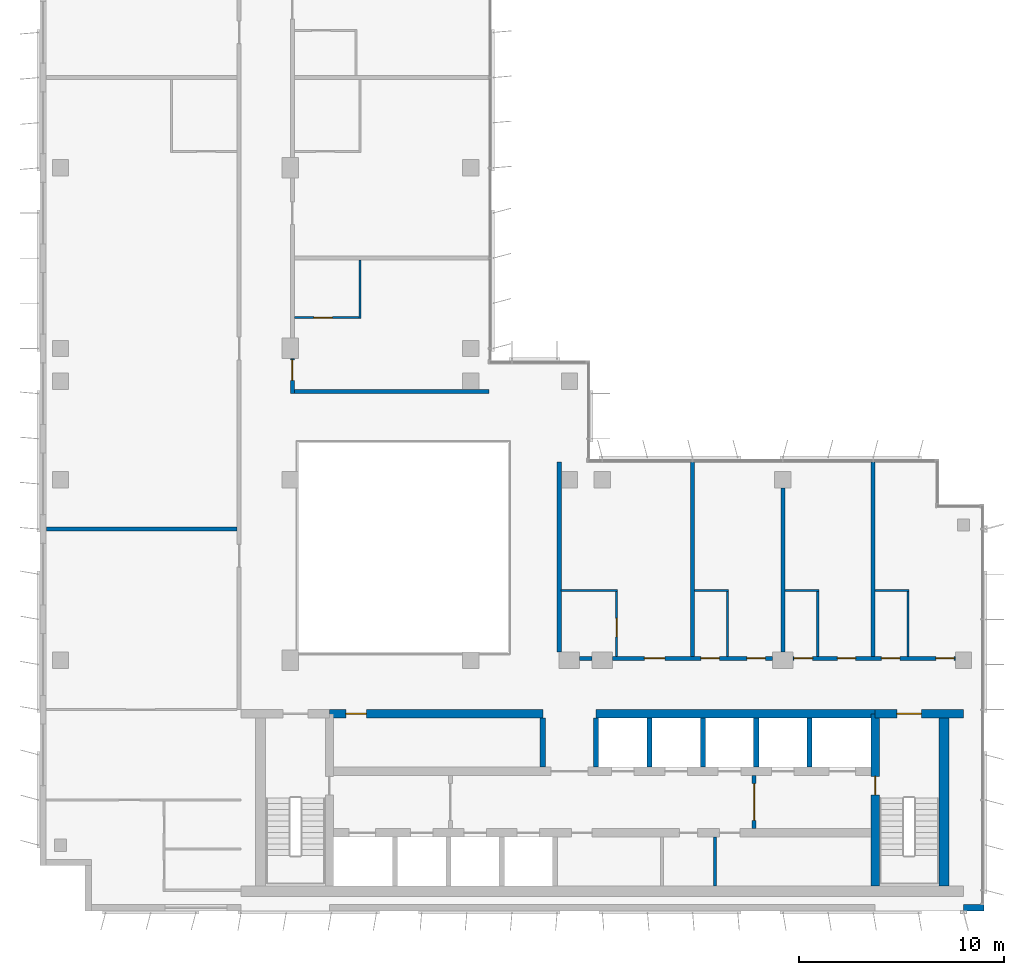
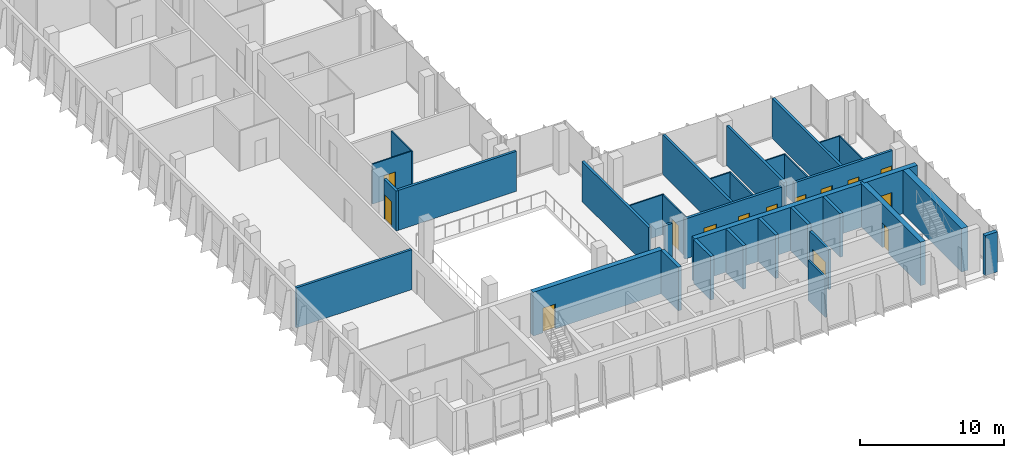
# One storey, part 10 of 15: 34 walls, 14 doors, 14 openings.
"""IFC4 building model written with IfcOpenShell, lengths in metres."""

from ifc_helpers import new_model, si_unit, direction, frame, frame_2d, origin, place, context, subcontext, project, spatial, rectangle, extrude, material, layer, layer_set, type_object, element, fill, save


model = new_model("IFC4")

# Units and contexts
model_context = context("Model", 3, precision=1e-05, world=origin(), true_north=direction((0.0, 1.0)))
body_context = subcontext(model_context, "Body", "Model", "MODEL_VIEW")
ifc_project = project(units=[si_unit("LENGTHUNIT", "METRE"), si_unit("AREAUNIT", "SQUARE_METRE"), si_unit("VOLUMEUNIT", "CUBIC_METRE"), si_unit("PLANEANGLEUNIT", "RADIAN"), si_unit("MASSUNIT", "GRAM", prefix="KILO")], contexts=[model_context])

# Site, building, storey
site_placement = place(None, origin())
site = spatial("IfcSite", under=ifc_project, at=site_placement, CompositionType="ELEMENT")
building_placement = place(site_placement, origin())
building = spatial("IfcBuilding", under=site, at=building_placement, Name="Kemantara Hotel Tower", CompositionType="ELEMENT")
storey_placement = place(building_placement, frame((0.0, 0.0, 301.800048828125)))
storey = spatial("IfcBuildingStorey", under=building, at=storey_placement, Name="L76", CompositionType="ELEMENT", Elevation=301.800048828125)

# Walls
ifc_material_1 = material(Name="Bronze anodised aluminium cladding on insulated steel stud wall", Category="steel")
ifc_layer_1 = layer(ifc_material_1, 0.300048828125)
ifc_layer_set_1 = layer_set([ifc_layer_1], Name="Bronze anodised aluminium cladding on insulated steel stud wall")
wall_type_1 = type_object("IfcWallType", Name="BRONZE METAL-CLAD EXTERNAL WALL 300", PredefinedType="STANDARD", material=ifc_layer_set_1)
wall_1_placement = place(storey_placement, frame((45.0, 0.14990234375, 0.0), z_axis=(0.0, 0.0, 1.0), x_axis=(1.0, 0.0, 0.0)))
element("IfcWall", 1, at=wall_1_placement, inside=storey, type_object=wall_type_1, Name="EXTERNAL WALL L76 T4-R08-3", PredefinedType="STANDARD", context=body_context, shape_type="SweptSolid", body=[
    extrude(rectangle(XDim=1.0, YDim=0.300048828125, at=frame_2d((0.5, 0.0))), origin(), (0.0, 0.0, 1.0), 3.39990234375),
])
ifc_material_2 = material(Name="Concrete fc 50 MPa", Category="concrete")
ifc_layer_2 = layer(ifc_material_2, 0.25)
ifc_layer_set_2 = layer_set([ifc_layer_2], Name="Concrete fc 50 MPa")
wall_type_2 = type_object("IfcWallType", Name="CORE WALL 250 FC50", PredefinedType="SHEAR", material=ifc_layer_set_2)
for number, where, z_axis, x_axis, name in (
    (2, (24.5, 7.0, 0.0), (0.0, 0.0, 1.0), (0.0, 1.0, 0.0), "CORE WALL CW-DN24.5"),
    (3, (27.10009765625, 7.0, 0.0), (0.0, 0.0, 1.0), (0.0, 1.0, 0.0), "CORE WALL CW-DN27.1"),
    (4, (29.699951171875, 7.0, 0.0), (0.0, 0.0, 1.0), (0.0, 1.0, 0.0), "CORE WALL CW-DN29.7"),
    (5, (32.300048828125, 7.0, 0.0), (0.0, 0.0, 1.0), (0.0, 1.0, 0.0), "CORE WALL CW-DN32.3"),
    (6, (34.89990234375, 7.0, 0.0), (0.0, 0.0, 1.0), (0.0, 1.0, 0.0), "CORE WALL CW-DN34.9"),
    (7, (37.5, 7.0, 0.0), (0.0, 0.0, 1.0), (0.0, 1.0, 0.0), "CORE WALL CW-DN37.5"),
):
    element("IfcWall", number, at=place(storey_placement, frame(where, z_axis=z_axis, x_axis=x_axis)), inside=storey, type_object=wall_type_2, Name=name, PredefinedType="SHEAR", context=body_context, shape_type="SweptSolid", body=[
        extrude(rectangle(XDim=2.39990234375, YDim=0.25, at=frame_2d((1.199951171875, 0.0))), origin(), (0.0, 0.0, 1.0), 3.699951171875),
    ])

# Wall, opening, door
ifc_layer_3 = layer(ifc_material_2, 0.39990234375)
ifc_layer_set_3 = layer_set([ifc_layer_3], Name="Concrete fc 50 MPa")
wall_type_3 = type_object("IfcWallType", Name="CORE WALL 400 FC50", PredefinedType="SHEAR", material=ifc_layer_set_3)
wall_2_placement = place(storey_placement, frame((40.699951171875, 9.60009765625, 0.0), z_axis=(0.0, 0.0, 1.0), x_axis=(1.0, 0.0, 0.0)))
wall_2 = element("IfcWall", 8, at=wall_2_placement, inside=storey, type_object=wall_type_3, Name="CORE WALL CW-N2", PredefinedType="SHEAR", context=body_context, shape_type="SweptSolid", body=[
    extrude(rectangle(XDim=4.300048828125, YDim=0.39990234375, at=frame_2d((2.14990234375, 0.0))), origin(), (0.0, 0.0, 1.0), 3.699951171875),
])
opening_1_placement = place(wall_2_placement, frame((1.050048828125, 0.0, 0.0)))
opening_1 = element("IfcOpeningElement", 9, at=opening_1_placement, cuts=wall_2, Name="Opening C42-ST2-C", PredefinedType="OPENING", context=body_context, shape_type="SweptSolid", body=[
    extrude(rectangle(XDim=1.199951171875, YDim=2.10009765625, at=frame_2d((0.60009765625, 1.050048828125))), frame((0.0, 0.2099609375, 0.0), z_axis=(0.0, -1.0, 0.0), x_axis=(1.0, 0.0, 0.0)), (0.0, 0.0, 1.0), 0.419921875),
])
ifc_material_3 = material(Name="Steel fire door", Category="steel")
door_type_1 = type_object("IfcDoorType", Name="Fire door FD90 1200 x 2100", OperationType="NOTDEFINED", PredefinedType="DOOR", material=ifc_material_3)
door_1_placement = place(opening_1_placement, frame((1.199951171875, 0.0, 0.0), z_axis=(0.0, 0.0, 1.0), x_axis=(-1.0, 0.0, 0.0)))
door_1 = element("IfcDoor", 10, at=door_1_placement, inside=storey, type_object=door_type_1, Name="Stair ST2 door to corridor", OperationType="SINGLE_SWING_RIGHT", OverallHeight=2.10009765625, OverallWidth=1.199951171875, PredefinedType="DOOR", context=body_context, shape_type="SweptSolid", body=[
    extrude(rectangle(XDim=1.199951171875, YDim=2.10009765625, at=frame_2d((0.60009765625, 1.050048828125))), frame((0.0, 0.02490234375, 0.0), z_axis=(0.0, -1.0, 0.0), x_axis=(1.0, 0.0, 0.0)), (0.0, 0.0, 1.0), 0.050048828125),
])
fill(opening_1, door_1)

wall_3_placement = place(storey_placement, frame((14.10009765625, 9.60009765625, 0.0), z_axis=(0.0, 0.0, 1.0), x_axis=(1.0, 0.0, 0.0)))
wall_3 = element("IfcWall", 11, at=wall_3_placement, inside=storey, type_object=wall_type_3, Name="CORE WALL CW-NN1", PredefinedType="SHEAR", context=body_context, shape_type="SweptSolid", body=[
    extrude(rectangle(XDim=10.39990234375, YDim=0.39990234375, at=frame_2d((5.199951171875, 0.0))), origin(), (0.0, 0.0, 1.0), 3.699951171875),
])
opening_2_placement = place(wall_3_placement, frame((0.800048828125, 0.0, 0.0)))
opening_2 = element("IfcOpeningElement", 12, at=opening_2_placement, cuts=wall_3, Name="Opening C42-R-NW1", PredefinedType="OPENING", context=body_context, shape_type="SweptSolid", body=[
    extrude(rectangle(XDim=1.0, YDim=2.10009765625, at=frame_2d((0.5, 1.050048828125))), frame((0.0, 0.2099609375, 0.0), z_axis=(0.0, -1.0, 0.0), x_axis=(1.0, 0.0, 0.0)), (0.0, 0.0, 1.0), 0.419921875),
])
door_type_2 = type_object("IfcDoorType", Name="Fire door FD30S 1000 x 2100", OperationType="NOTDEFINED", PredefinedType="DOOR", material=ifc_material_3)
door_2_placement = place(opening_2_placement, frame((1.0, 0.0, 0.0), z_axis=(0.0, 0.0, 1.0), x_axis=(-1.0, 0.0, 0.0)))
door_2 = element("IfcDoor", 13, at=door_2_placement, inside=storey, type_object=door_type_2, Name="Linen Store door", OperationType="SINGLE_SWING_RIGHT", OverallHeight=2.10009765625, OverallWidth=1.0, PredefinedType="DOOR", context=body_context, shape_type="SweptSolid", body=[
    extrude(rectangle(XDim=1.0, YDim=2.10009765625, at=frame_2d((0.5, 1.050048828125))), frame((0.0, 0.02490234375, 0.0), z_axis=(0.0, -1.0, 0.0), x_axis=(1.0, 0.0, 0.0)), (0.0, 0.0, 1.0), 0.050048828125),
])
fill(opening_2, door_2)

# Wall
wall_4_placement = place(storey_placement, frame((27.10009765625, 9.60009765625, 0.0), z_axis=(0.0, 0.0, 1.0), x_axis=(1.0, 0.0, 0.0)))
element("IfcWall", 14, at=wall_4_placement, inside=storey, type_object=wall_type_3, Name="CORE WALL CW-NN2", PredefinedType="SHEAR", context=body_context, shape_type="SweptSolid", body=[
    extrude(rectangle(XDim=13.599853515625, YDim=0.39990234375, at=frame_2d((6.7998046875, 0.0))), origin(), (0.0, 0.0, 1.0), 3.699951171875),
])

# Wall, opening, door
wall_5_placement = place(storey_placement, frame((40.699951171875, 1.199951171875, 0.0), z_axis=(0.0, 0.0, 1.0), x_axis=(0.0, 1.0, 0.0)))
wall_5 = element("IfcWall", 15, at=wall_5_placement, inside=storey, type_object=wall_type_3, Name="CORE WALL CW-ST2W", PredefinedType="SHEAR", context=body_context, shape_type="SweptSolid", body=[
    extrude(rectangle(XDim=8.400146484375, YDim=0.39990234375, at=frame_2d((4.2001953125, 0.0))), origin(), (0.0, 0.0, 1.0), 3.699951171875),
])
opening_3_placement = place(wall_5_placement, frame((4.449951171875, 0.0, 0.0)))
opening_3 = element("IfcOpeningElement", 16, at=opening_3_placement, cuts=wall_5, Name="Opening C42-ST2-F", PredefinedType="OPENING", context=body_context, shape_type="SweptSolid", body=[
    extrude(rectangle(XDim=0.89990234375, YDim=2.10009765625, at=frame_2d((0.449951171875, 1.050048828125))), frame((0.0, 0.2099609375, 0.0), z_axis=(0.0, -1.0, 0.0), x_axis=(1.0, 0.0, 0.0)), (0.0, 0.0, 1.0), 0.419921875),
])
door_type_3 = type_object("IfcDoorType", Name="Fire door FD90 900 x 2100", OperationType="NOTDEFINED", PredefinedType="DOOR", material=ifc_material_3)
door_3_placement = place(opening_3_placement, frame((0.89990234375, 0.0, 0.0), z_axis=(0.0, 0.0, 1.0), x_axis=(-1.0, 0.0, 0.0)))
door_3 = element("IfcDoor", 17, at=door_3_placement, inside=storey, type_object=door_type_3, Name="Stair ST2 door to firefighting lobby", OperationType="SINGLE_SWING_LEFT", OverallHeight=2.10009765625, OverallWidth=0.89990234375, PredefinedType="DOOR", context=body_context, shape_type="SweptSolid", body=[
    extrude(rectangle(XDim=0.89990234375, YDim=2.10009765625, at=frame_2d((0.449951171875, 1.050048828125))), frame((0.0, 0.02490234375, 0.0), z_axis=(0.0, -1.0, 0.0), x_axis=(1.0, 0.0, 0.0)), (0.0, 0.0, 1.0), 0.050048828125),
])
fill(opening_3, door_3)

# Walls
ifc_layer_4 = layer(ifc_material_2, 0.5)
ifc_layer_set_4 = layer_set([ifc_layer_4], Name="Concrete fc 50 MPa")
wall_type_4 = type_object("IfcWallType", Name="CORE WALL 500 FC50", PredefinedType="SHEAR", material=ifc_layer_set_4)
wall_6_placement = place(storey_placement, frame((44.050048828125, 1.199951171875, 0.0), z_axis=(0.0, 0.0, 1.0), x_axis=(0.0, 1.0, 0.0)))
element("IfcWall", 18, at=wall_6_placement, inside=storey, type_object=wall_type_4, Name="CORE WALL CW-E", PredefinedType="SHEAR", context=body_context, shape_type="SweptSolid", body=[
    extrude(rectangle(XDim=8.60009765625, YDim=0.5, at=frame_2d((4.300048828125, 0.0))), origin(), (0.0, 0.0, 1.0), 3.699951171875),
])
ifc_material_4 = material(Name="Gypsum board partition, steel studs and mineral wool, 200 mm", Category="steel")
ifc_layer_5 = layer(ifc_material_4, 0.199951171875)
ifc_layer_set_5 = layer_set([ifc_layer_5], Name="Gypsum board partition, steel studs and mineral wool, 200 mm")
wall_type_5 = type_object("IfcWallType", Name="CORRIDOR WALL 200", PredefinedType="PARTITIONING", material=ifc_layer_set_5)
wall_7_placement = place(storey_placement, frame((26.300048828125, 12.300048828125, 0.0), z_axis=(0.0, 0.0, 1.0), x_axis=(1.0, 0.0, 0.0)))
element("IfcWall", 19, at=wall_7_placement, inside=storey, type_object=wall_type_5, Name="CORRIDOR WALL 200 001", PredefinedType="PARTITIONING", context=body_context, shape_type="SweptSolid", body=[
    extrude(rectangle(XDim=0.599853515625, YDim=0.199951171875, at=frame_2d((0.2998046875, 0.0))), origin(), (0.0, 0.0, 1.0), 3.39990234375),
])

# Wall, openings, doors
wall_8_placement = place(storey_placement, frame((27.900146484375, 12.300048828125, 0.0), z_axis=(0.0, 0.0, 1.0), x_axis=(1.0, 0.0, 0.0)))
wall_8 = element("IfcWall", 20, at=wall_8_placement, inside=storey, type_object=wall_type_5, Name="CORRIDOR WALL 200 002", PredefinedType="PARTITIONING", context=body_context, shape_type="SweptSolid", body=[
    extrude(rectangle(XDim=7.7998046875, YDim=0.199951171875, at=frame_2d((3.89990234375, 0.0))), origin(), (0.0, 0.0, 1.0), 3.39990234375),
])
opening_4_placement = place(wall_8_placement, frame((1.5498046875, 0.0, 0.0)))
opening_4 = element("IfcOpeningElement", 21, at=opening_4_placement, cuts=wall_8, Name="Opening F37-001", PredefinedType="OPENING", context=body_context, shape_type="SweptSolid", body=[
    extrude(rectangle(XDim=1.0, YDim=2.10009765625, at=frame_2d((0.5, 1.050048828125))), frame((0.0, 0.10986328125, 0.0), z_axis=(0.0, -1.0, 0.0), x_axis=(1.0, 0.0, 0.0)), (0.0, 0.0, 1.0), 0.219970703125),
])
opening_5_placement = place(wall_8_placement, frame((6.5498046875, 0.0, 0.0)))
opening_5 = element("IfcOpeningElement", 22, at=opening_5_placement, cuts=wall_8, Name="Opening F37-003", PredefinedType="OPENING", context=body_context, shape_type="SweptSolid", body=[
    extrude(rectangle(XDim=0.89990234375, YDim=2.10009765625, at=frame_2d((0.449951171875, 1.050048828125))), frame((0.0, 0.10986328125, 0.0), z_axis=(0.0, -1.0, 0.0), x_axis=(1.0, 0.0, 0.0)), (0.0, 0.0, 1.0), 0.219970703125),
])
opening_6_placement = place(wall_8_placement, frame((4.2998046875, 0.0, 0.0)))
opening_6 = element("IfcOpeningElement", 23, at=opening_6_placement, cuts=wall_8, Name="Opening F37-004", PredefinedType="OPENING", context=body_context, shape_type="SweptSolid", body=[
    extrude(rectangle(XDim=0.89990234375, YDim=2.10009765625, at=frame_2d((0.449951171875, 1.050048828125))), frame((0.0, 0.10986328125, 0.0), z_axis=(0.0, -1.0, 0.0), x_axis=(1.0, 0.0, 0.0)), (0.0, 0.0, 1.0), 0.219970703125),
])
ifc_material_5 = material(Name="Hardwood veneer door leaf with steel frame", Category="steel")
door_type_4 = type_object("IfcDoorType", Name="GUEST ROOM DOOR 1000 X 2100 FD30S", OperationType="NOTDEFINED", PredefinedType="DOOR", material=ifc_material_5)
door_4_placement = place(opening_4_placement, origin())
door_4 = element("IfcDoor", 24, at=door_4_placement, inside=storey, type_object=door_type_4, Name="GUEST ROOM DOOR F37-001", OperationType="SINGLE_SWING_RIGHT", OverallHeight=2.10009765625, OverallWidth=1.0, PredefinedType="DOOR", context=body_context, shape_type="SweptSolid", body=[
    extrude(rectangle(XDim=1.0, YDim=2.10009765625, at=frame_2d((0.5, 1.050048828125))), frame((0.0, 0.02490234375, 0.0), z_axis=(0.0, -1.0, 0.0), x_axis=(1.0, 0.0, 0.0)), (0.0, 0.0, 1.0), 0.050048828125),
])
fill(opening_4, door_4)
ifc_material_6 = material(Name="Steel door leaf with steel frame", Category="steel")
door_type_5 = type_object("IfcDoorType", Name="SERVICE ROOM DOOR 900 X 2100 FD60", OperationType="NOTDEFINED", PredefinedType="DOOR", material=ifc_material_6)
door_5_placement = place(opening_5_placement, origin())
door_5 = element("IfcDoor", 25, at=door_5_placement, inside=storey, type_object=door_type_5, Name="SERVICE ROOM DOOR F37-003", OperationType="SINGLE_SWING_RIGHT", OverallHeight=2.10009765625, OverallWidth=0.89990234375, PredefinedType="DOOR", context=body_context, shape_type="SweptSolid", body=[
    extrude(rectangle(XDim=0.89990234375, YDim=2.10009765625, at=frame_2d((0.449951171875, 1.050048828125))), frame((0.0, 0.02490234375, 0.0), z_axis=(0.0, -1.0, 0.0), x_axis=(1.0, 0.0, 0.0)), (0.0, 0.0, 1.0), 0.050048828125),
])
fill(opening_5, door_5)
door_6_placement = place(opening_6_placement, origin())
door_6 = element("IfcDoor", 26, at=door_6_placement, inside=storey, type_object=door_type_5, Name="SERVICE ROOM DOOR F37-004", OperationType="SINGLE_SWING_LEFT", OverallHeight=2.10009765625, OverallWidth=0.89990234375, PredefinedType="DOOR", context=body_context, shape_type="SweptSolid", body=[
    extrude(rectangle(XDim=0.89990234375, YDim=2.10009765625, at=frame_2d((0.449951171875, 1.050048828125))), frame((0.0, 0.02490234375, 0.0), z_axis=(0.0, -1.0, 0.0), x_axis=(1.0, 0.0, 0.0)), (0.0, 0.0, 1.0), 0.050048828125),
])
fill(opening_6, door_6)

wall_9_placement = place(storey_placement, frame((36.7001953125, 12.300048828125, 0.0), z_axis=(0.0, 0.0, 1.0), x_axis=(1.0, 0.0, 0.0)))
wall_9 = element("IfcWall", 27, at=wall_9_placement, inside=storey, type_object=wall_type_5, Name="CORRIDOR WALL 200 003", PredefinedType="PARTITIONING", context=body_context, shape_type="SweptSolid", body=[
    extrude(rectangle(XDim=7.899658203125, YDim=0.199951171875, at=frame_2d((3.94970703125, 0.0))), origin(), (0.0, 0.0, 1.0), 3.39990234375),
])
opening_7_placement = place(wall_9_placement, frame((2.14990234375, 0.0, 0.0)))
opening_7 = element("IfcOpeningElement", 28, at=opening_7_placement, cuts=wall_9, Name="Opening F37-005", PredefinedType="OPENING", context=body_context, shape_type="SweptSolid", body=[
    extrude(rectangle(XDim=0.89990234375, YDim=2.10009765625, at=frame_2d((0.449951171875, 1.050048828125))), frame((0.0, 0.10986328125, 0.0), z_axis=(0.0, -1.0, 0.0), x_axis=(1.0, 0.0, 0.0)), (0.0, 0.0, 1.0), 0.219970703125),
])
opening_8_placement = place(wall_9_placement, frame((0.0498046875, 0.0, 0.0)))
opening_8 = element("IfcOpeningElement", 29, at=opening_8_placement, cuts=wall_9, Name="Opening F37-006", PredefinedType="OPENING", context=body_context, shape_type="SweptSolid", body=[
    extrude(rectangle(XDim=0.89990234375, YDim=2.10009765625, at=frame_2d((0.449951171875, 1.050048828125))), frame((0.0, 0.10986328125, 0.0), z_axis=(0.0, -1.0, 0.0), x_axis=(1.0, 0.0, 0.0)), (0.0, 0.0, 1.0), 0.219970703125),
])
opening_9_placement = place(wall_9_placement, frame((6.949951171875, 0.0, 0.0)))
opening_9 = element("IfcOpeningElement", 30, at=opening_9_placement, cuts=wall_9, Name="Opening F37-007", PredefinedType="OPENING", context=body_context, shape_type="SweptSolid", body=[
    extrude(rectangle(XDim=0.89990234375, YDim=2.10009765625, at=frame_2d((0.449951171875, 1.050048828125))), frame((0.0, 0.10986328125, 0.0), z_axis=(0.0, -1.0, 0.0), x_axis=(1.0, 0.0, 0.0)), (0.0, 0.0, 1.0), 0.219970703125),
])
opening_10_placement = place(wall_9_placement, frame((4.2998046875, 0.0, 0.0)))
opening_10 = element("IfcOpeningElement", 31, at=opening_10_placement, cuts=wall_9, Name="Opening F37-008", PredefinedType="OPENING", context=body_context, shape_type="SweptSolid", body=[
    extrude(rectangle(XDim=0.89990234375, YDim=2.10009765625, at=frame_2d((0.449951171875, 1.050048828125))), frame((0.0, 0.10986328125, 0.0), z_axis=(0.0, -1.0, 0.0), x_axis=(1.0, 0.0, 0.0)), (0.0, 0.0, 1.0), 0.219970703125),
])
door_7_placement = place(opening_7_placement, origin())
door_7 = element("IfcDoor", 32, at=door_7_placement, inside=storey, type_object=door_type_5, Name="SERVICE ROOM DOOR F37-005", OperationType="SINGLE_SWING_RIGHT", OverallHeight=2.10009765625, OverallWidth=0.89990234375, PredefinedType="DOOR", context=body_context, shape_type="SweptSolid", body=[
    extrude(rectangle(XDim=0.89990234375, YDim=2.10009765625, at=frame_2d((0.449951171875, 1.050048828125))), frame((0.0, 0.02490234375, 0.0), z_axis=(0.0, -1.0, 0.0), x_axis=(1.0, 0.0, 0.0)), (0.0, 0.0, 1.0), 0.050048828125),
])
fill(opening_7, door_7)
door_8_placement = place(opening_8_placement, origin())
door_8 = element("IfcDoor", 33, at=door_8_placement, inside=storey, type_object=door_type_5, Name="SERVICE ROOM DOOR F37-006", OperationType="SINGLE_SWING_LEFT", OverallHeight=2.10009765625, OverallWidth=0.89990234375, PredefinedType="DOOR", context=body_context, shape_type="SweptSolid", body=[
    extrude(rectangle(XDim=0.89990234375, YDim=2.10009765625, at=frame_2d((0.449951171875, 1.050048828125))), frame((0.0, 0.02490234375, 0.0), z_axis=(0.0, -1.0, 0.0), x_axis=(1.0, 0.0, 0.0)), (0.0, 0.0, 1.0), 0.050048828125),
])
fill(opening_8, door_8)
door_9_placement = place(opening_9_placement, origin())
door_9 = element("IfcDoor", 34, at=door_9_placement, inside=storey, type_object=door_type_5, Name="SERVICE ROOM DOOR F37-007", OperationType="SINGLE_SWING_RIGHT", OverallHeight=2.10009765625, OverallWidth=0.89990234375, PredefinedType="DOOR", context=body_context, shape_type="SweptSolid", body=[
    extrude(rectangle(XDim=0.89990234375, YDim=2.10009765625, at=frame_2d((0.449951171875, 1.050048828125))), frame((0.0, 0.02490234375, 0.0), z_axis=(0.0, -1.0, 0.0), x_axis=(1.0, 0.0, 0.0)), (0.0, 0.0, 1.0), 0.050048828125),
])
fill(opening_9, door_9)
door_10_placement = place(opening_10_placement, origin())
door_10 = element("IfcDoor", 35, at=door_10_placement, inside=storey, type_object=door_type_5, Name="SERVICE ROOM DOOR F37-008", OperationType="SINGLE_SWING_LEFT", OverallHeight=2.10009765625, OverallWidth=0.89990234375, PredefinedType="DOOR", context=body_context, shape_type="SweptSolid", body=[
    extrude(rectangle(XDim=0.89990234375, YDim=2.10009765625, at=frame_2d((0.449951171875, 1.050048828125))), frame((0.0, 0.02490234375, 0.0), z_axis=(0.0, -1.0, 0.0), x_axis=(1.0, 0.0, 0.0)), (0.0, 0.0, 1.0), 0.050048828125),
])
fill(opening_10, door_10)

# Wall, opening, door
wall_10_placement = place(storey_placement, frame((12.300048828125, 26.89990234375, 0.0), z_axis=(0.0, 0.0, 1.0), x_axis=(0.0, -1.0, 0.0)))
wall_10 = element("IfcWall", 36, at=wall_10_placement, inside=storey, type_object=wall_type_5, Name="CORRIDOR WALL 200 014", PredefinedType="PARTITIONING", context=body_context, shape_type="SweptSolid", body=[
    extrude(rectangle(XDim=1.699951171875, YDim=0.199951171875, at=frame_2d((0.85009765625, 0.0))), origin(), (0.0, 0.0, 1.0), 3.39990234375),
])
opening_11_placement = place(wall_10_placement, frame((0.0498046875, 0.0, 0.0)))
opening_11 = element("IfcOpeningElement", 37, at=opening_11_placement, cuts=wall_10, Name="Opening F37-020", PredefinedType="OPENING", context=body_context, shape_type="SweptSolid", body=[
    extrude(rectangle(XDim=1.0, YDim=2.10009765625, at=frame_2d((0.5, 1.050048828125))), frame((0.0, 0.10986328125, 0.0), z_axis=(0.0, -1.0, 0.0), x_axis=(1.0, 0.0, 0.0)), (0.0, 0.0, 1.0), 0.219970703125),
])
door_11_placement = place(opening_11_placement, origin())
door_11 = element("IfcDoor", 38, at=door_11_placement, inside=storey, type_object=door_type_4, Name="GUEST ROOM DOOR F37-020", OperationType="SINGLE_SWING_RIGHT", OverallHeight=2.10009765625, OverallWidth=1.0, PredefinedType="DOOR", context=body_context, shape_type="SweptSolid", body=[
    extrude(rectangle(XDim=1.0, YDim=2.10009765625, at=frame_2d((0.5, 1.050048828125))), frame((0.0, 0.02490234375, 0.0), z_axis=(0.0, -1.0, 0.0), x_axis=(1.0, 0.0, 0.0)), (0.0, 0.0, 1.0), 0.050048828125),
])
fill(opening_11, door_11)

# Walls
ifc_layer_6 = layer(ifc_material_4, 0.199951171875)
ifc_layer_set_6 = layer_set([ifc_layer_6], Name="Gypsum board partition, steel studs and mineral wool, 200 mm")
wall_type_6 = type_object("IfcWallType", Name="GUEST ROOM PARTY WALL 200", PredefinedType="PARTITIONING", material=ifc_layer_set_6)
wall_11_placement = place(storey_placement, frame((25.300048828125, 12.60009765625, 0.0), z_axis=(0.0, 0.0, 1.0), x_axis=(0.0, 1.0, 0.0)))
element("IfcWall", 39, at=wall_11_placement, inside=storey, type_object=wall_type_6, Name="GUEST ROOM PARTY WALL 200 004", PredefinedType="PARTITIONING", context=body_context, shape_type="SweptSolid", body=[
    extrude(rectangle(XDim=9.27001953125, YDim=0.199951171875, at=frame_2d((4.635009765625, 0.0))), origin(), (0.0, 0.0, 1.0), 3.39990234375),
])
wall_12_placement = place(storey_placement, frame((31.800048828125, 12.39990234375, 0.0), z_axis=(0.0, 0.0, 1.0), x_axis=(0.0, 1.0, 0.0)))
element("IfcWall", 40, at=wall_12_placement, inside=storey, type_object=wall_type_6, Name="GUEST ROOM PARTY WALL 200 005", PredefinedType="PARTITIONING", context=body_context, shape_type="SweptSolid", body=[
    extrude(rectangle(XDim=9.47021484375, YDim=0.199951171875, at=frame_2d((4.735107421875, 0.0))), origin(), (0.0, 0.0, 1.0), 3.39990234375),
])
wall_13_placement = place(storey_placement, frame((36.199951171875, 12.60009765625, 0.0), z_axis=(0.0, 0.0, 1.0), x_axis=(0.0, 1.0, 0.0)))
element("IfcWall", 41, at=wall_13_placement, inside=storey, type_object=wall_type_6, Name="GUEST ROOM PARTY WALL 200 006", PredefinedType="PARTITIONING", context=body_context, shape_type="SweptSolid", body=[
    extrude(rectangle(XDim=7.999755859375, YDim=0.199951171875, at=frame_2d((4.0, 0.0))), origin(), (0.0, 0.0, 1.0), 3.39990234375),
])
wall_14_placement = place(storey_placement, frame((40.60009765625, 12.39990234375, 0.0), z_axis=(0.0, 0.0, 1.0), x_axis=(0.0, 1.0, 0.0)))
element("IfcWall", 42, at=wall_14_placement, inside=storey, type_object=wall_type_6, Name="GUEST ROOM PARTY WALL 200 007", PredefinedType="PARTITIONING", context=body_context, shape_type="SweptSolid", body=[
    extrude(rectangle(XDim=9.47021484375, YDim=0.199951171875, at=frame_2d((4.735107421875, 0.0))), origin(), (0.0, 0.0, 1.0), 3.39990234375),
])
wall_15_placement = place(storey_placement, frame((0.31005859375, 18.60009765625, 0.0), z_axis=(0.0, 0.0, 1.0), x_axis=(1.0, 0.0, 0.0)))
element("IfcWall", 43, at=wall_15_placement, inside=storey, type_object=wall_type_6, Name="GUEST ROOM PARTY WALL 200 010", PredefinedType="PARTITIONING", context=body_context, shape_type="SweptSolid", body=[
    extrude(rectangle(XDim=9.2900390625, YDim=0.199951171875, at=frame_2d((4.64501953125, 0.0))), origin(), (0.0, 0.0, 1.0), 3.39990234375),
])
wall_16_placement = place(storey_placement, frame((12.39990234375, 25.300048828125, 0.0), z_axis=(0.0, 0.0, 1.0), x_axis=(1.0, 0.0, 0.0)))
element("IfcWall", 44, at=wall_16_placement, inside=storey, type_object=wall_type_6, Name="GUEST ROOM PARTY WALL 200 019", PredefinedType="PARTITIONING", context=body_context, shape_type="SweptSolid", body=[
    extrude(rectangle(XDim=9.47021484375, YDim=0.199951171875, at=frame_2d((4.735107421875, 0.0))), origin(), (0.0, 0.0, 1.0), 3.39990234375),
])
ifc_material_7 = material(Name="Gypsum board partition")
ifc_layer_7 = layer(ifc_material_7, 0.14990234375)
ifc_layer_set_7 = layer_set([ifc_layer_7], Name="Gypsum board partition")
wall_type_7 = type_object("IfcWallType", Name="Gypsum board partition 150 mm", PredefinedType="PARTITIONING", material=ifc_layer_set_7)
wall_17_placement = place(storey_placement, frame((32.89990234375, 1.199951171875, 0.0), z_axis=(0.0, 0.0, 1.0), x_axis=(0.0, 1.0, 0.0)))
element("IfcWall", 45, at=wall_17_placement, inside=storey, type_object=wall_type_7, Name="Core room partition", PredefinedType="PARTITIONING", context=body_context, shape_type="SweptSolid", body=[
    extrude(rectangle(XDim=2.400146484375, YDim=0.14990234375, at=frame_2d((1.2001953125, 0.0))), origin(), (0.0, 0.0, 1.0), 3.39990234375),
])

# Wall, opening, door
ifc_material_8 = material(Name="Gypsum board shaft wall")
ifc_layer_8 = layer(ifc_material_8, 0.199951171875)
ifc_layer_set_8 = layer_set([ifc_layer_8], Name="Gypsum board shaft wall")
wall_type_8 = type_object("IfcWallType", Name="Gypsum board shaft wall 200 mm", PredefinedType="PARTITIONING", material=ifc_layer_set_8)
wall_18_placement = place(storey_placement, frame((34.800048828125, 4.0, 0.0), z_axis=(0.0, 0.0, 1.0), x_axis=(0.0, 1.0, 0.0)))
wall_18 = element("IfcWall", 46, at=wall_18_placement, inside=storey, type_object=wall_type_8, Name="Firefighting lobby partition east", PredefinedType="PARTITIONING", context=body_context, shape_type="SweptSolid", body=[
    extrude(rectangle(XDim=2.60009765625, YDim=0.199951171875, at=frame_2d((1.300048828125, 0.0))), origin(), (0.0, 0.0, 1.0), 3.39990234375),
])
opening_12_placement = place(wall_18_placement, frame((0.39990234375, 0.0, 0.0)))
opening_12 = element("IfcOpeningElement", 47, at=opening_12_placement, cuts=wall_18, Name="Opening C42-FFE", PredefinedType="OPENING", context=body_context, shape_type="SweptSolid", body=[
    extrude(rectangle(XDim=1.800048828125, YDim=2.10009765625, at=frame_2d((0.89990234375, 1.050048828125))), frame((0.0, 0.10986328125, 0.0), z_axis=(0.0, -1.0, 0.0), x_axis=(1.0, 0.0, 0.0)), (0.0, 0.0, 1.0), 0.219970703125),
])
door_type_6 = type_object("IfcDoorType", Name="Fire door pair FD60 1800 x 2100", OperationType="DOUBLE_DOOR_SINGLE_SWING", PredefinedType="DOOR", material=ifc_material_3)
door_12_placement = place(opening_12_placement, frame((1.800048828125, 0.0, 0.0), z_axis=(0.0, 0.0, 1.0), x_axis=(-1.0, 0.0, 0.0)))
door_12 = element("IfcDoor", 48, at=door_12_placement, inside=storey, type_object=door_type_6, Name="Firefighting lobby door east", OperationType="DOUBLE_DOOR_SINGLE_SWING", OverallHeight=2.10009765625, OverallWidth=1.800048828125, PredefinedType="DOOR", context=body_context, shape_type="SweptSolid", body=[
    extrude(rectangle(XDim=1.800048828125, YDim=2.10009765625, at=frame_2d((0.89990234375, 1.050048828125))), frame((0.0, 0.02490234375, 0.0), z_axis=(0.0, -1.0, 0.0), x_axis=(1.0, 0.0, 0.0)), (0.0, 0.0, 1.0), 0.050048828125),
])
fill(opening_12, door_12)

# Walls
ifc_material_9 = material(Name="Gypsum board partition on steel studs, 100 mm", Category="steel")
ifc_layer_9 = layer(ifc_material_9, 0.10009765625)
ifc_layer_set_9 = layer_set([ifc_layer_9], Name="Gypsum board partition on steel studs, 100 mm")
wall_type_9 = type_object("IfcWallType", Name="ROOM PARTITION 100", PredefinedType="PARTITIONING", material=ifc_layer_set_9)
wall_19_placement = place(storey_placement, frame((25.39990234375, 15.60009765625, 0.0), z_axis=(0.0, 0.0, 1.0), x_axis=(1.0, 0.0, 0.0)))
element("IfcWall", 49, at=wall_19_placement, inside=storey, type_object=wall_type_9, Name="ROOM PARTITION 100 023", PredefinedType="PARTITIONING", context=body_context, shape_type="SweptSolid", body=[
    extrude(rectangle(XDim=2.75, YDim=0.10009765625, at=frame_2d((1.375, 0.0))), origin(), (0.0, 0.0, 1.0), 3.39990234375),
])
wall_20_placement = place(storey_placement, frame((31.89990234375, 15.60009765625, 0.0), z_axis=(0.0, 0.0, 1.0), x_axis=(1.0, 0.0, 0.0)))
element("IfcWall", 50, at=wall_20_placement, inside=storey, type_object=wall_type_9, Name="ROOM PARTITION 100 024", PredefinedType="PARTITIONING", context=body_context, shape_type="SweptSolid", body=[
    extrude(rectangle(XDim=1.650146484375, YDim=0.10009765625, at=frame_2d((0.8251953125, 0.0))), origin(), (0.0, 0.0, 1.0), 3.39990234375),
])
wall_21_placement = place(storey_placement, frame((36.300048828125, 15.60009765625, 0.0), z_axis=(0.0, 0.0, 1.0), x_axis=(1.0, 0.0, 0.0)))
element("IfcWall", 51, at=wall_21_placement, inside=storey, type_object=wall_type_9, Name="ROOM PARTITION 100 025", PredefinedType="PARTITIONING", context=body_context, shape_type="SweptSolid", body=[
    extrude(rectangle(XDim=1.64990234375, YDim=0.10009765625, at=frame_2d((0.824951171875, 0.0))), origin(), (0.0, 0.0, 1.0), 3.39990234375),
])
wall_22_placement = place(storey_placement, frame((40.699951171875, 15.60009765625, 0.0), z_axis=(0.0, 0.0, 1.0), x_axis=(1.0, 0.0, 0.0)))
element("IfcWall", 52, at=wall_22_placement, inside=storey, type_object=wall_type_9, Name="ROOM PARTITION 100 026", PredefinedType="PARTITIONING", context=body_context, shape_type="SweptSolid", body=[
    extrude(rectangle(XDim=1.650146484375, YDim=0.10009765625, at=frame_2d((0.8251953125, 0.0))), origin(), (0.0, 0.0, 1.0), 3.39990234375),
])

# Wall, opening, door
wall_23_placement = place(storey_placement, frame((28.10009765625, 12.39990234375, 0.0), z_axis=(0.0, 0.0, 1.0), x_axis=(0.0, 1.0, 0.0)))
wall_23 = element("IfcWall", 53, at=wall_23_placement, inside=storey, type_object=wall_type_9, Name="ROOM PARTITION 100 027", PredefinedType="PARTITIONING", context=body_context, shape_type="SweptSolid", body=[
    extrude(rectangle(XDim=3.150146484375, YDim=0.10009765625, at=frame_2d((1.5751953125, 0.0))), origin(), (0.0, 0.0, 1.0), 3.39990234375),
])
opening_13_placement = place(wall_23_placement, frame((0.949951171875, 0.0, 0.0)))
opening_13 = element("IfcOpeningElement", 54, at=opening_13_placement, cuts=wall_23, Name="Opening F37-002", PredefinedType="OPENING", context=body_context, shape_type="SweptSolid", body=[
    extrude(rectangle(XDim=0.89990234375, YDim=2.10009765625, at=frame_2d((0.449951171875, 1.050048828125))), frame((0.0, 0.06005859375, 0.0), z_axis=(0.0, -1.0, 0.0), x_axis=(1.0, 0.0, 0.0)), (0.0, 0.0, 1.0), 0.1201171875),
])
door_type_7 = type_object("IfcDoorType", Name="BATHROOM DOOR 900 X 2100", OperationType="NOTDEFINED", PredefinedType="DOOR", material=ifc_material_5)
door_13_placement = place(opening_13_placement, origin())
door_13 = element("IfcDoor", 55, at=door_13_placement, inside=storey, type_object=door_type_7, Name="BATHROOM DOOR F37-002", OperationType="SINGLE_SWING_LEFT", OverallHeight=2.10009765625, OverallWidth=0.89990234375, PredefinedType="DOOR", context=body_context, shape_type="SweptSolid", body=[
    extrude(rectangle(XDim=0.89990234375, YDim=2.10009765625, at=frame_2d((0.449951171875, 1.050048828125))), frame((0.0, 0.02490234375, 0.0), z_axis=(0.0, -1.0, 0.0), x_axis=(1.0, 0.0, 0.0)), (0.0, 0.0, 1.0), 0.050048828125),
])
fill(opening_13, door_13)

# Walls
for number, where, z_axis, x_axis, name in (
    (56, (33.5, 12.39990234375, 0.0), (0.0, 0.0, 1.0), (0.0, 1.0, 0.0), "ROOM PARTITION 100 028"),
    (57, (37.89990234375, 12.39990234375, 0.0), (0.0, 0.0, 1.0), (0.0, 1.0, 0.0), "ROOM PARTITION 100 029"),
    (58, (42.300048828125, 12.39990234375, 0.0), (0.0, 0.0, 1.0), (0.0, 1.0, 0.0), "ROOM PARTITION 100 030"),
):
    element("IfcWall", number, at=place(storey_placement, frame(where, z_axis=z_axis, x_axis=x_axis)), inside=storey, type_object=wall_type_9, Name=name, PredefinedType="PARTITIONING", context=body_context, shape_type="SweptSolid", body=[
        extrude(rectangle(XDim=3.150146484375, YDim=0.10009765625, at=frame_2d((1.5751953125, 0.0))), origin(), (0.0, 0.0, 1.0), 3.39990234375),
    ])
wall_24_placement = place(storey_placement, frame((15.60009765625, 28.85009765625, 0.0), z_axis=(0.0, 0.0, 1.0), x_axis=(0.0, 1.0, 0.0)))
element("IfcWall", 59, at=wall_24_placement, inside=storey, type_object=wall_type_9, Name="ROOM PARTITION 100 043", PredefinedType="PARTITIONING", context=body_context, shape_type="SweptSolid", body=[
    extrude(rectangle(XDim=2.849853515625, YDim=0.10009765625, at=frame_2d((1.4248046875, 0.0))), origin(), (0.0, 0.0, 1.0), 3.39990234375),
])

# Wall, opening, door
wall_25_placement = place(storey_placement, frame((12.39990234375, 28.89990234375, 0.0), z_axis=(0.0, 0.0, 1.0), x_axis=(1.0, 0.0, 0.0)))
wall_25 = element("IfcWall", 60, at=wall_25_placement, inside=storey, type_object=wall_type_9, Name="ROOM PARTITION 100 046", PredefinedType="PARTITIONING", context=body_context, shape_type="SweptSolid", body=[
    extrude(rectangle(XDim=3.150146484375, YDim=0.10009765625, at=frame_2d((1.5751953125, 0.0))), origin(), (0.0, 0.0, 1.0), 3.39990234375),
])
opening_14_placement = place(wall_25_placement, frame((0.949951171875, 0.0, 0.0)))
opening_14 = element("IfcOpeningElement", 61, at=opening_14_placement, cuts=wall_25, Name="Opening F37-021", PredefinedType="OPENING", context=body_context, shape_type="SweptSolid", body=[
    extrude(rectangle(XDim=0.89990234375, YDim=2.10009765625, at=frame_2d((0.449951171875, 1.050048828125))), frame((0.0, 0.06005859375, 0.0), z_axis=(0.0, -1.0, 0.0), x_axis=(1.0, 0.0, 0.0)), (0.0, 0.0, 1.0), 0.1201171875),
])
door_14_placement = place(opening_14_placement, origin())
door_14 = element("IfcDoor", 62, at=door_14_placement, inside=storey, type_object=door_type_7, Name="BATHROOM DOOR F37-021", OperationType="SINGLE_SWING_LEFT", OverallHeight=2.10009765625, OverallWidth=0.89990234375, PredefinedType="DOOR", context=body_context, shape_type="SweptSolid", body=[
    extrude(rectangle(XDim=0.89990234375, YDim=2.10009765625, at=frame_2d((0.449951171875, 1.050048828125))), frame((0.0, 0.02490234375, 0.0), z_axis=(0.0, -1.0, 0.0), x_axis=(1.0, 0.0, 0.0)), (0.0, 0.0, 1.0), 0.050048828125),
])
fill(opening_14, door_14)

save(model, "model.ifc")
